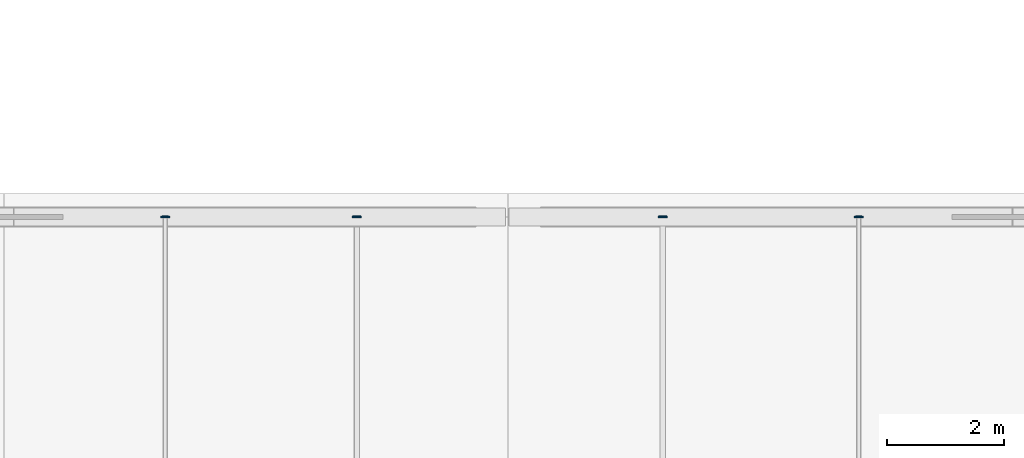
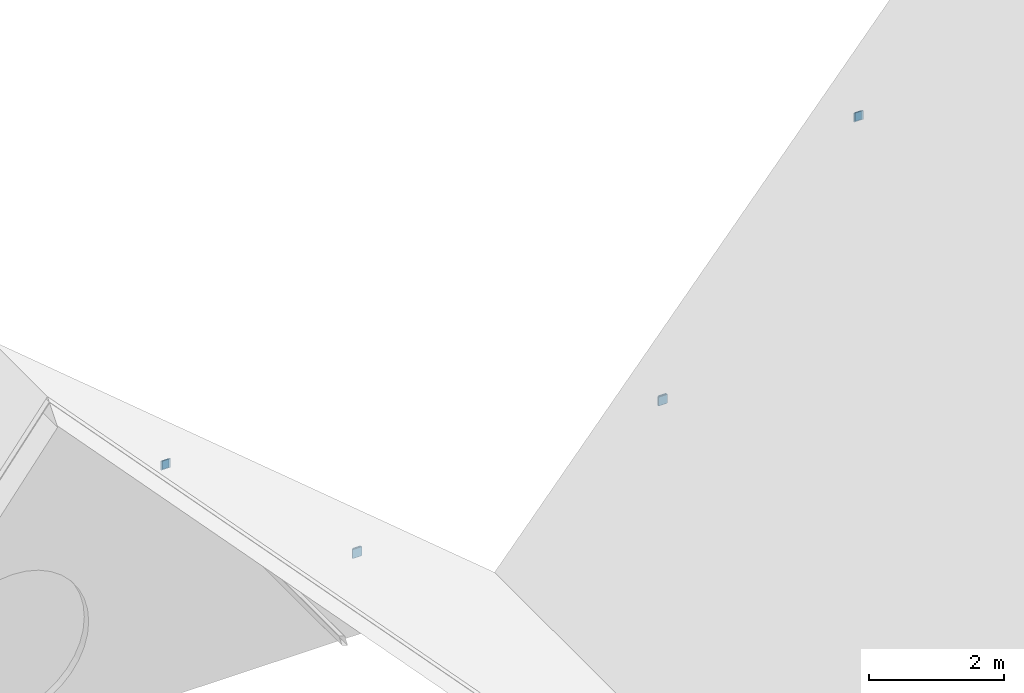
# One storey, part 48 of 64: 8 plates.
"""IFC4 building model written with IfcOpenShell, lengths in metres."""

from ifc_helpers import new_model, si_unit, direction, frame, origin, origin_2d, place, context, subcontext, project, spatial, rectangle, extrude, material, layer, layer_set, type_object, element, save


model = new_model("IFC4")

# Units and contexts
model_context = context("Model", 3, precision=1e-05, world=origin(), true_north=direction((0.0, 1.0)))
body_context = subcontext(model_context, "Body", "Model", "MODEL_VIEW")
ifc_project = project(units=[si_unit("LENGTHUNIT", "METRE"), si_unit("AREAUNIT", "SQUARE_METRE"), si_unit("VOLUMEUNIT", "CUBIC_METRE"), si_unit("PLANEANGLEUNIT", "RADIAN"), si_unit("MASSUNIT", "GRAM", prefix="KILO")], contexts=[model_context])

# Site, building, storey
site_placement = place(None, origin())
site = spatial("IfcSite", under=ifc_project, at=site_placement, CompositionType="ELEMENT")
building_placement = place(site_placement, origin())
building = spatial("IfcBuilding", under=site, at=building_placement, Name="Zhaolan Boulevard Law Courts", CompositionType="ELEMENT")
storey_placement = place(building_placement, frame((0.0, 0.0, 20.39990234375)))
storey = spatial("IfcBuildingStorey", under=building, at=storey_placement, Name="L04", CompositionType="ELEMENT", Elevation=20.39990234375)

# Plates
ifc_material = material(Name="Structural steel Q355B", Category="steel")
ifc_layer = layer(ifc_material, 0.02001953125)
ifc_layer_set = layer_set([ifc_layer])
plate_type = type_object("IfcPlateType", Name="END CAP PLATE 20", PredefinedType="SHEET", material=ifc_layer_set)
for number, where, z_axis, x_axis, name in (
    (1, (113.419921875, 94.0, 1.4931640625), (0.0, 0.0, 1.0), (1.0, 0.0, 0.0), "Purlin End-Cap Plate ECP-GPR4EN"),
    (2, (110.152099609375, 94.0, 4.22900390625), (0.0, 0.0, 1.0), (1.0, 0.0, 0.0), "Purlin End-Cap Plate ECP-GPR4EN"),
    (3, (118.639892578125, 94.0, 2.4189453125), (0.0, 0.0, 1.0), (1.0, 0.0, 0.0), "Purlin End-Cap Plate ECP-GPR5WN"),
    (4, (121.98388671875, 94.0, 6.37109375), (0.0, 0.0, 1.0), (1.0, 0.0, 0.0), "Purlin End-Cap Plate ECP-GPR5WN"),
):
    element("IfcPlate", number, at=place(storey_placement, frame(where, z_axis=z_axis, x_axis=x_axis)), inside=storey, type_object=plate_type, Name=name, PredefinedType="SHEET", context=body_context, shape_type="SweptSolid", body=[
        extrude(rectangle(XDim=0.159912109375, YDim=0.02001953125, at=origin_2d()), origin(), (0.0, 0.0, 1.0), 0.159912109375),
    ])
plate_1_placement = place(storey_placement, frame((113.419921875, 94.008056640625, 1.48291015625), z_axis=(0.0, 0.0, 1.0), x_axis=(0.0, 1.0, 0.0)))
element("IfcPlate", 5, at=plate_1_placement, inside=storey, type_object=plate_type, Name="Hollow Section End-Cap Plate ECP-1452", PredefinedType="SHEET", context=body_context, shape_type="SweptSolid", body=[
    extrude(rectangle(XDim=0.02001953125, YDim=0.1298828125, at=origin_2d()), origin(), (0.0, 0.0, 1.0), 0.179931640625),
])
plate_2_placement = place(storey_placement, frame((110.152099609375, 94.008056640625, 4.234130859375), z_axis=(0.0, 0.0, 1.0), x_axis=(0.0, 1.0, 0.0)))
element("IfcPlate", 6, at=plate_2_placement, inside=storey, type_object=plate_type, Name="Hollow Section End-Cap Plate ECP-1456", PredefinedType="SHEET", context=body_context, shape_type="SweptSolid", body=[
    extrude(rectangle(XDim=0.02001953125, YDim=0.110107421875, at=origin_2d()), origin(), (0.0, 0.0, 1.0), 0.14990234375),
])
plate_3_placement = place(storey_placement, frame((118.639892578125, 94.008056640625, 2.4091796875), z_axis=(0.0, 0.0, 1.0), x_axis=(0.0, 1.0, 0.0)))
element("IfcPlate", 7, at=plate_3_placement, inside=storey, type_object=plate_type, Name="Hollow Section End-Cap Plate ECP-1458", PredefinedType="SHEET", context=body_context, shape_type="SweptSolid", body=[
    extrude(rectangle(XDim=0.02001953125, YDim=0.1298828125, at=origin_2d()), origin(), (0.0, 0.0, 1.0), 0.179931640625),
])
plate_4_placement = place(storey_placement, frame((121.98388671875, 94.008056640625, 6.376220703125), z_axis=(0.0, 0.0, 1.0), x_axis=(0.0, 1.0, 0.0)))
element("IfcPlate", 8, at=plate_4_placement, inside=storey, type_object=plate_type, Name="Hollow Section End-Cap Plate ECP-1462", PredefinedType="SHEET", context=body_context, shape_type="SweptSolid", body=[
    extrude(rectangle(XDim=0.02001953125, YDim=0.110107421875, at=origin_2d()), origin(), (0.0, 0.0, 1.0), 0.14990234375),
])

save(model, "model.ifc")
